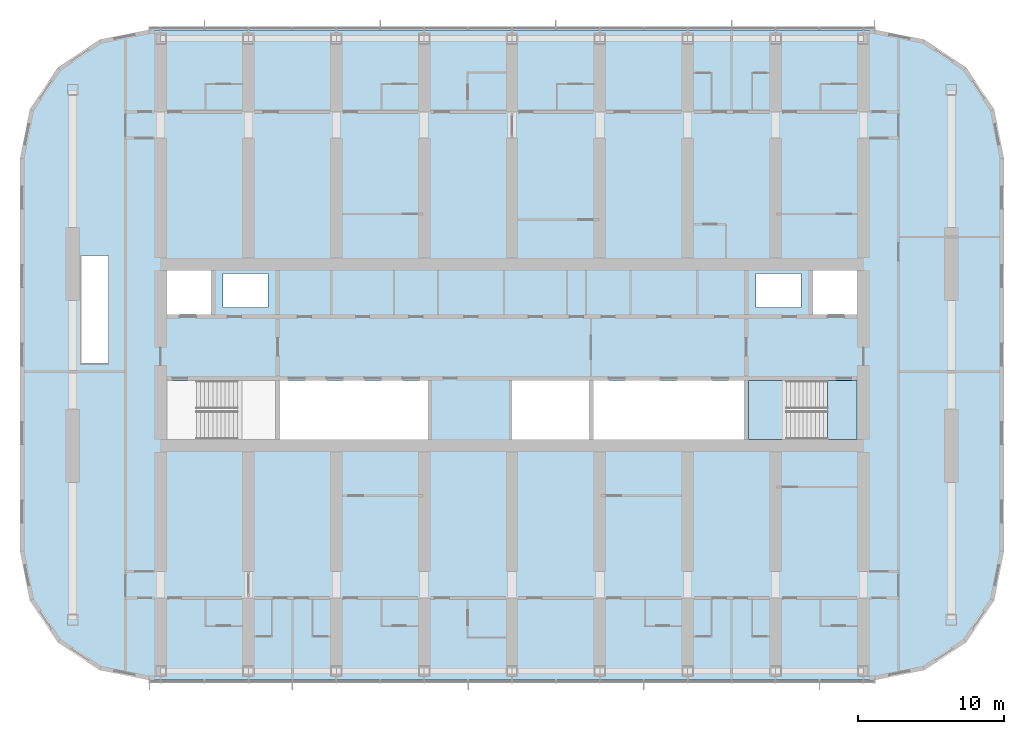
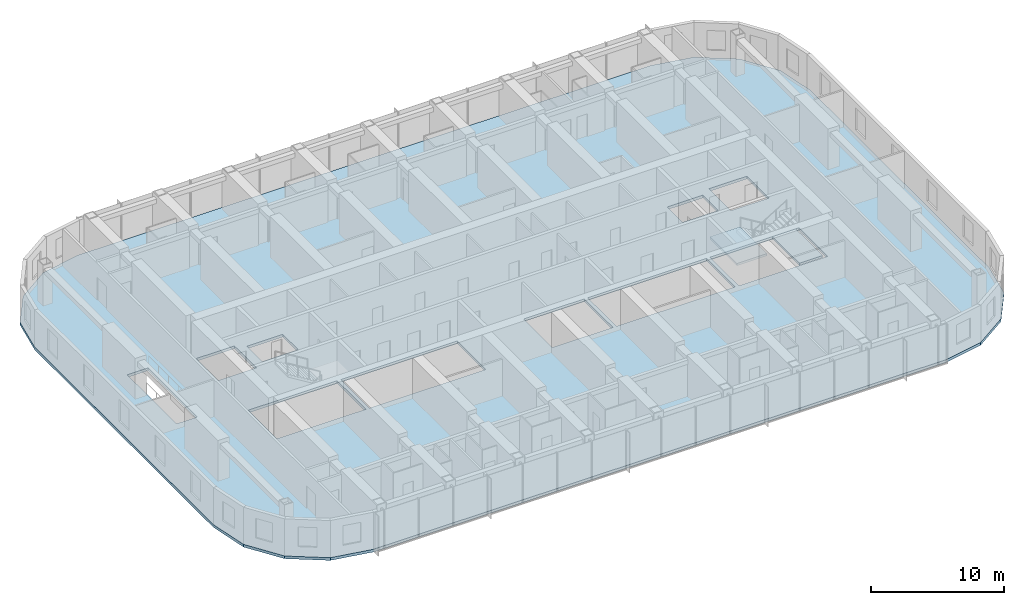
# One storey, part 8 of 22: 3 slabs, 1 element without a shape of its own.
"""IFC4 building model written with IfcOpenShell, lengths in metres."""

from ifc_helpers import new_model, si_unit, direction, frame, origin, place, context, subcontext, project, spatial, polyline, outline, extrude, material, layer, layer_set, type_object, element, aggregate, save


model = new_model("IFC4")

# Units and contexts
model_context = context("Model", 3, precision=1e-05, world=origin(), true_north=direction((0.0, 1.0)))
body_context = subcontext(model_context, "Body", "Model", "MODEL_VIEW")
ifc_project = project(units=[si_unit("LENGTHUNIT", "METRE"), si_unit("AREAUNIT", "SQUARE_METRE"), si_unit("VOLUMEUNIT", "CUBIC_METRE"), si_unit("PLANEANGLEUNIT", "RADIAN"), si_unit("MASSUNIT", "GRAM", prefix="KILO")], contexts=[model_context])

# Site, building, storey
site_placement = place(None, origin())
site = spatial("IfcSite", under=ifc_project, at=site_placement, CompositionType="ELEMENT")
building_placement = place(site_placement, origin())
building = spatial("IfcBuilding", under=site, at=building_placement, Name="Orbita Commons", CompositionType="ELEMENT")
storey_placement = place(building_placement, frame((0.0, 0.0, 197.35009765625)))
storey = spatial("IfcBuildingStorey", under=building, at=storey_placement, Name="L49", CompositionType="ELEMENT", Elevation=197.35009765625)

# Slab
ifc_material_1 = material(Name="Concrete C40/50", Category="concrete")
ifc_layer_1 = layer(ifc_material_1, 0.25)
ifc_layer_set_1 = layer_set([ifc_layer_1], Name="Concrete C40/50")
slab_type_1 = type_object("IfcSlabType", Name="Floor slab 250", PredefinedType="FLOOR", material=ifc_layer_set_1)
slab_1_placement = place(storey_placement, frame((0.0, 0.0, -0.25)))
element("IfcSlab", 1, at=slab_1_placement, inside=storey, type_object=slab_type_1, Name="Floor slab L49", PredefinedType="FLOOR", context=body_context, shape_type="SweptSolid", body=[
    extrude(outline(polyline([(66.800048828125, 9.800048828125), (70.167724609375, 10.469970703125), (73.0224609375, 12.37744140625), (74.93017578125, 15.232421875), (75.60009765625, 18.60009765625), (75.60009765625, 45.39990234375), (74.93017578125, 48.767578125), (73.0224609375, 51.62255859375), (70.167724609375, 53.530029296875), (66.800048828125, 54.199951171875), (17.199951171875, 54.199951171875), (13.832275390625, 53.530029296875), (10.9775390625, 51.62255859375), (9.06982421875, 48.767578125), (8.39990234375, 45.39990234375), (8.39990234375, 18.60009765625), (9.06982421875, 15.232421875), (10.9775390625, 12.37744140625), (13.832275390625, 10.469970703125), (17.199951171875, 9.800048828125), (66.800048828125, 9.800048828125)]), holes=[polyline([(18.14990234375, 25.949951171875), (25.85009765625, 25.949951171875), (25.85009765625, 30.25), (18.14990234375, 30.25), (18.14990234375, 25.949951171875)]), polyline([(58.14990234375, 25.949951171875), (65.85009765625, 25.949951171875), (65.85009765625, 30.25), (58.14990234375, 30.25), (58.14990234375, 25.949951171875)]), polyline([(18.14990234375, 34.75), (21.449951171875, 34.75), (21.449951171875, 38.050048828125), (18.14990234375, 38.050048828125), (18.14990234375, 34.75)]), polyline([(62.550048828125, 34.75), (65.85009765625, 34.75), (65.85009765625, 38.050048828125), (62.550048828125, 38.050048828125), (62.550048828125, 34.75)]), polyline([(22.25, 35.25), (25.35009765625, 35.25), (25.35009765625, 37.550048828125), (22.25, 37.550048828125), (22.25, 35.25)]), polyline([(58.64990234375, 35.25), (61.75, 35.25), (61.75, 37.550048828125), (58.64990234375, 37.550048828125), (58.64990234375, 35.25)]), polyline([(26.14990234375, 25.949951171875), (36.25, 25.949951171875), (36.25, 30.25), (26.14990234375, 30.25), (26.14990234375, 25.949951171875)]), polyline([(42.0, 25.949951171875), (47.25, 25.949951171875), (47.25, 30.25), (42.0, 30.25), (42.0, 25.949951171875)]), polyline([(47.550048828125, 25.949951171875), (57.85009765625, 25.949951171875), (57.85009765625, 30.25), (47.550048828125, 30.25), (47.550048828125, 25.949951171875)]), polyline([(12.60009765625, 31.39990234375), (14.39990234375, 31.39990234375), (14.39990234375, 38.800048828125), (12.60009765625, 38.800048828125), (12.60009765625, 31.39990234375)])]), origin(), (0.0, 0.0, 1.0), 0.25),
])

# Stair, slabs
ifc_material_2 = material(Name="Precast concrete C40/50", Category="concrete")
stair_type = type_object("IfcStairType", Name="Exit stair S2 2 flights 11 risers 170", PredefinedType="HALF_TURN_STAIR", material=ifc_material_2)
stair_placement = place(storey_placement, origin())
stair = element("IfcStair", 2, at=stair_placement, inside=storey, type_object=stair_type, Name="Exit stair S2 L49", PredefinedType="HALF_TURN_STAIR")
ifc_material_3 = material(Name="Concrete C40/50", Category="concrete")
ifc_layer_2 = layer(ifc_material_3, 0.199951171875)
ifc_layer_set_2 = layer_set([ifc_layer_2], Name="Concrete C40/50")
slab_type_2 = type_object("IfcSlabType", Name="Stair landing 200", PredefinedType="LANDING", material=ifc_layer_set_2)
slab_2_placement = place(storey_placement, frame((0.0, 0.0, -0.2001953125)))
slab_2 = element("IfcSlab", 3, at=slab_2_placement, type_object=slab_type_2, Name="S2 landing 1", PredefinedType="LANDING", context=body_context, shape_type="SweptSolid", body=[
    extrude(outline(polyline([(63.550048828125, 26.22509765625), (65.574951171875, 26.22509765625), (65.574951171875, 30.25), (63.550048828125, 30.25), (63.550048828125, 26.22509765625)])), origin(), (0.0, 0.0, 1.0), 0.2001953125),
])
slab_3_placement = place(storey_placement, frame((0.0, 0.0, 1.6748046875)))
slab_3 = element("IfcSlab", 4, at=slab_3_placement, type_object=slab_type_2, Name="S2 landing 2", PredefinedType="LANDING", context=body_context, shape_type="SweptSolid", body=[
    extrude(outline(polyline([(58.135009765625, 26.2099609375), (60.75, 26.2099609375), (60.75, 30.264892578125), (58.135009765625, 30.264892578125), (58.135009765625, 26.2099609375)])), origin(), (0.0, 0.0, 1.0), 0.2001953125),
])
aggregate(stair, [slab_2, slab_3])

save(model, "model.ifc")
